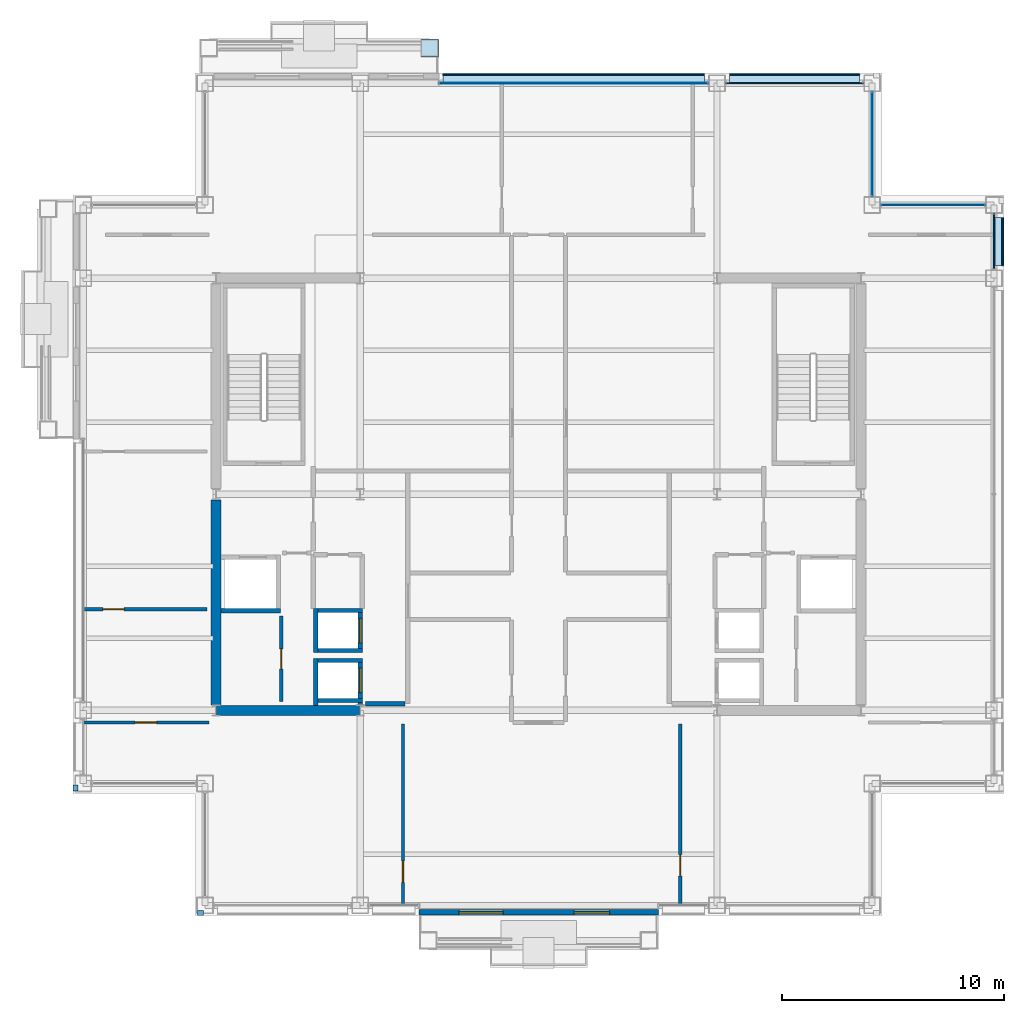
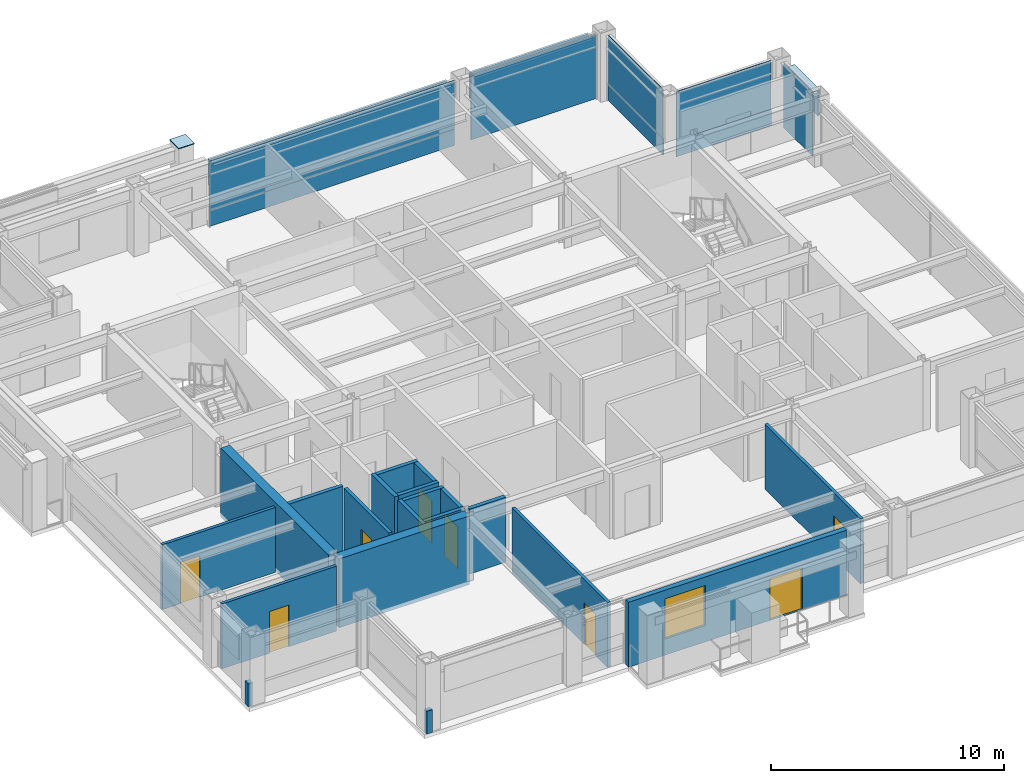
# One storey, part 25 of 31: 20 walls, 15 plates, 8 doors, 1 window, 9 openings, 5 elements without a shape of their own.
"""IFC4 building model written with IfcOpenShell, lengths in metres."""

from ifc_helpers import new_model, si_unit, direction, frame, frame_2d, origin, origin_2d, place, context, subcontext, project, spatial, rectangle, extrude, material, layer, layer_set, type_object, element, fill, aggregate, save


model = new_model("IFC4")

# Units and contexts
model_context = context("Model", 3, precision=1e-05, world=origin(), true_north=direction((0.0, 1.0)))
body_context = subcontext(model_context, "Body", "Model", "MODEL_VIEW")
ifc_project = project(units=[si_unit("LENGTHUNIT", "METRE"), si_unit("AREAUNIT", "SQUARE_METRE"), si_unit("VOLUMEUNIT", "CUBIC_METRE"), si_unit("PLANEANGLEUNIT", "RADIAN"), si_unit("MASSUNIT", "GRAM", prefix="KILO")], contexts=[model_context])

# Site, building, storey
site_placement = place(None, origin())
site = spatial("IfcSite", under=ifc_project, at=site_placement, CompositionType="ELEMENT")
building_placement = place(site_placement, origin())
building = spatial("IfcBuilding", under=site, at=building_placement, Name="Brelmoor Portico Tower", CompositionType="ELEMENT")
storey_placement = place(building_placement, frame((0.0, 0.0, 176.699951171875)))
storey = spatial("IfcBuildingStorey", under=building, at=storey_placement, Name="L46", CompositionType="ELEMENT", Elevation=176.699951171875)

# Plate
ifc_material_1 = material(Name="Steel Q355B", Category="steel")
ifc_layer_1 = layer(ifc_material_1, 0.044921875)
ifc_layer_set_1 = layer_set([ifc_layer_1], Name="Steel Q355B")
plate_type_1 = type_object("IfcPlateType", Name="PT-CAP-650", PredefinedType="SHEET", material=ifc_layer_set_1)
plate_1_placement = place(storey_placement, frame((-4.919921875, 20.1298828125, 3.60009765625), z_axis=(0.0, 0.0, 1.0), x_axis=(1.0, 0.0, 0.0)))
element("IfcPlate", 1, at=plate_1_placement, inside=storey, type_object=plate_type_1, Name="L46 Proud Picture-Frame Pier PFJ-N2 Welded Head Cap Plate", PredefinedType="SHEET", context=body_context, shape_type="SweptSolid", body=[
    extrude(rectangle(XDim=0.7900390625, YDim=0.7900390625, at=origin_2d()), origin(), (0.0, 0.0, 1.0), 0.0400390625),
])

# Curtain wall, plate
ifc_material_2 = material(Name="Anodised Aluminium Alloy 6063-T6", Category="aluminium")
ifc_layer_2 = layer(ifc_material_2, 0.179931640625)
ifc_layer_set_2 = layer_set([ifc_layer_2], Name="Anodised Aluminium Alloy 6063-T6")
curtain_wall_type_1 = type_object("IfcCurtainWallType", Name="CW-TOWER-Z3", PredefinedType="NOTDEFINED", material=ifc_layer_set_2)
curtain_wall_1_placement = place(storey_placement, origin())
curtain_wall_1 = element("IfcCurtainWall", 2, at=curtain_wall_1_placement, inside=storey, type_object=curtain_wall_type_1, Name="L46 Curtain Wall CW-L46-2R-1", PredefinedType="NOTDEFINED")
ifc_material_3 = material(Name="Double-Silver Low-E Insulated Glazing", Category="glass")
ifc_layer_3 = layer(ifc_material_3, 0.035888671875)
ifc_layer_set_3 = layer_set([ifc_layer_3], Name="Double-Silver Low-E Insulated Glazing")
plate_type_2 = type_object("IfcPlateType", Name="PT-CW-GLASS", PredefinedType="CURTAIN_PANEL", material=ifc_layer_set_3)
plate_2_placement = place(storey_placement, frame((1.58251953125, 18.550048828125, 0.85009765625), z_axis=(0.0, 0.0, 1.0), x_axis=(1.0, 0.0, 0.0)))
plate_2 = element("IfcPlate", 3, at=plate_2_placement, type_object=plate_type_2, Name="CW-L46-2R-1 Vision Glass Panel 00", PredefinedType="CURTAIN_PANEL", context=body_context, shape_type="SweptSolid", body=[
    extrude(rectangle(XDim=12.135009765625, YDim=0.035888671875, at=origin_2d()), origin(), (0.0, 0.0, 1.0), 2.550048828125),
])

ifc_layer_4 = layer(ifc_material_2, 0.179931640625)
ifc_layer_set_4 = layer_set([ifc_layer_4], Name="Anodised Aluminium Alloy 6063-T6")
curtain_wall_type_2 = type_object("IfcCurtainWallType", Name="CW-NOTCH-CHAMFER", PredefinedType="NOTDEFINED", material=ifc_layer_set_4)
curtain_wall_2_placement = place(storey_placement, origin())
curtain_wall_2 = element("IfcCurtainWall", 4, at=curtain_wall_2_placement, inside=storey, type_object=curtain_wall_type_2, Name="L46 Curtain Wall CWN-L46-NEH", PredefinedType="NOTDEFINED")
plate_3_placement = place(storey_placement, frame((17.800048828125, 13.050048828125, 0.85009765625), z_axis=(0.0, 0.0, 1.0), x_axis=(1.0, 0.0, 0.0)))
plate_3 = element("IfcPlate", 5, at=plate_3_placement, type_object=plate_type_2, Name="CWN-L46-NEH Vision Glass Panel 00", PredefinedType="CURTAIN_PANEL", context=body_context, shape_type="SweptSolid", body=[
    extrude(rectangle(XDim=4.699951171875, YDim=0.035888671875, at=origin_2d()), origin(), (0.0, 0.0, 1.0), 2.550048828125),
])

curtain_wall_3_placement = place(storey_placement, origin())
curtain_wall_3 = element("IfcCurtainWall", 6, at=curtain_wall_3_placement, inside=storey, type_object=curtain_wall_type_2, Name="L46 Curtain Wall CWN-L46-NEV", PredefinedType="NOTDEFINED")
plate_4_placement = place(storey_placement, frame((15.050048828125, 15.800048828125, 0.85009765625), z_axis=(0.0, 0.0, 1.0), x_axis=(0.0, 1.0, 0.0)))
plate_4 = element("IfcPlate", 7, at=plate_4_placement, type_object=plate_type_2, Name="CWN-L46-NEV Vision Glass Panel 00", PredefinedType="CURTAIN_PANEL", context=body_context, shape_type="SweptSolid", body=[
    extrude(rectangle(XDim=4.699951171875, YDim=0.035888671875, at=origin_2d()), origin(), (0.0, 0.0, 1.0), 2.550048828125),
])

# Plate
ifc_material_4 = material(Name="Pale Champagne Anodised Aluminium Panel", Category="aluminium")
ifc_layer_5 = layer(ifc_material_4, 0.050048828125)
ifc_layer_set_5 = layer_set([ifc_layer_5], Name="Pale Champagne Anodised Aluminium Panel")
plate_type_3 = type_object("IfcPlateType", Name="PT-CW-SPANDREL", PredefinedType="SHEET", material=ifc_layer_set_5)
plate_5_placement = place(storey_placement, frame((1.58251953125, 18.550048828125, 0.0), z_axis=(0.0, 0.0, 1.0), x_axis=(1.0, 0.0, 0.0)))
plate_5 = element("IfcPlate", 8, at=plate_5_placement, type_object=plate_type_3, Name="CW-L46-2R-1 Spandrel Panel 00", PredefinedType="SHEET", context=body_context, shape_type="SweptSolid", body=[
    extrude(rectangle(XDim=12.135009765625, YDim=0.050048828125, at=origin_2d()), origin(), (0.0, 0.0, 1.0), 0.85009765625),
])

aggregate(curtain_wall_1, [plate_5, plate_2])

# Curtain wall, plate
ifc_layer_6 = layer(ifc_material_2, 0.179931640625)
ifc_layer_set_6 = layer_set([ifc_layer_6], Name="Anodised Aluminium Alloy 6063-T6")
curtain_wall_type_3 = type_object("IfcCurtainWallType", Name="CW-TOWER-Z3-XB", PredefinedType="NOTDEFINED", material=ifc_layer_set_6)
curtain_wall_4_placement = place(storey_placement, origin())
curtain_wall_4 = element("IfcCurtainWall", 9, at=curtain_wall_4_placement, inside=storey, type_object=curtain_wall_type_3, Name="L46 Curtain Wall CW-L46-2R-2", PredefinedType="NOTDEFINED")
plate_6_placement = place(storey_placement, frame((11.550048828125, 18.550048828125, 0.0), z_axis=(0.0, 0.0, 1.0), x_axis=(1.0, 0.0, 0.0)))
plate_6 = element("IfcPlate", 10, at=plate_6_placement, type_object=plate_type_3, Name="CW-L46-2R-2 Spandrel Panel 00", PredefinedType="SHEET", context=body_context, shape_type="SweptSolid", body=[
    extrude(rectangle(XDim=6.199951171875, YDim=0.050048828125, at=origin_2d()), origin(), (0.0, 0.0, 1.0), 3.33740234375),
])
aggregate(curtain_wall_4, [plate_6])

curtain_wall_5_placement = place(storey_placement, origin())
curtain_wall_5 = element("IfcCurtainWall", 11, at=curtain_wall_5_placement, inside=storey, type_object=curtain_wall_type_3, Name="L46 Curtain Wall CW-L46-04-3", PredefinedType="NOTDEFINED")
plate_7_placement = place(storey_placement, frame((20.550048828125, 11.39990234375, 0.0), z_axis=(0.0, 0.0, 1.0), x_axis=(0.0, 1.0, 0.0)))
plate_7 = element("IfcPlate", 12, at=plate_7_placement, type_object=plate_type_3, Name="CW-L46-04-3 Spandrel Panel 00", PredefinedType="SHEET", context=body_context, shape_type="SweptSolid", body=[
    extrude(rectangle(XDim=2.5, YDim=0.050048828125, at=origin_2d()), origin(), (0.0, 0.0, 1.0), 3.33740234375),
])
aggregate(curtain_wall_5, [plate_7])

# Plate
plate_8_placement = place(storey_placement, frame((17.800048828125, 13.050048828125, 0.0), z_axis=(0.0, 0.0, 1.0), x_axis=(1.0, 0.0, 0.0)))
plate_8 = element("IfcPlate", 13, at=plate_8_placement, type_object=plate_type_3, Name="CWN-L46-NEH Spandrel Panel 00", PredefinedType="SHEET", context=body_context, shape_type="SweptSolid", body=[
    extrude(rectangle(XDim=4.699951171875, YDim=0.050048828125, at=origin_2d()), origin(), (0.0, 0.0, 1.0), 0.85009765625),
])

aggregate(curtain_wall_2, [plate_8, plate_3])

plate_9_placement = place(storey_placement, frame((15.050048828125, 15.800048828125, 0.0), z_axis=(0.0, 0.0, 1.0), x_axis=(0.0, 1.0, 0.0)))
plate_9 = element("IfcPlate", 14, at=plate_9_placement, type_object=plate_type_3, Name="CWN-L46-NEV Spandrel Panel 00", PredefinedType="SHEET", context=body_context, shape_type="SweptSolid", body=[
    extrude(rectangle(XDim=4.699951171875, YDim=0.050048828125, at=origin_2d()), origin(), (0.0, 0.0, 1.0), 0.85009765625),
])

aggregate(curtain_wall_3, [plate_9, plate_4])

# Plates
ifc_material_5 = material(Name="Powder-Coated Aluminium Shuttered Jalousie Louvre", Category="aluminium")
ifc_layer_7 = layer(ifc_material_5, 0.06005859375)
ifc_layer_set_7 = layer_set([ifc_layer_7], Name="Powder-Coated Aluminium Shuttered Jalousie Louvre")
plate_type_4 = type_object("IfcPlateType", Name="PT-JALOUSIE-SHUTTER", PredefinedType="SHEET", material=ifc_layer_set_7)
plate_10_placement = place(storey_placement, frame((1.58251953125, 18.929931640625, 1.8740234375), z_axis=(0.0, 0.0, 1.0), x_axis=(1.0, 0.0, 0.0)))
element("IfcPlate", 15, at=plate_10_placement, inside=storey, type_object=plate_type_4, Name="CW-L46-2R-1 Perforated Jalousie Solar Screen", PredefinedType="SHEET", context=body_context, shape_type="SweptSolid", body=[
    extrude(rectangle(XDim=11.804931640625, YDim=0.06494140625, at=origin_2d()), origin(), (0.0, 0.0, 1.0), 1.325927734375),
])
plate_11_placement = place(storey_placement, frame((11.550048828125, 18.929931640625, 1.8740234375), z_axis=(0.0, 0.0, 1.0), x_axis=(1.0, 0.0, 0.0)))
element("IfcPlate", 16, at=plate_11_placement, inside=storey, type_object=plate_type_4, Name="CW-L46-2R-2 Perforated Jalousie Solar Screen", PredefinedType="SHEET", context=body_context, shape_type="SweptSolid", body=[
    extrude(rectangle(XDim=5.8701171875, YDim=0.06494140625, at=origin_2d()), origin(), (0.0, 0.0, 1.0), 1.325927734375),
])
plate_12_placement = place(storey_placement, frame((20.929931640625, 11.39990234375, 1.8740234375), z_axis=(0.0, 0.0, 1.0), x_axis=(0.0, 1.0, 0.0)))
element("IfcPlate", 17, at=plate_12_placement, inside=storey, type_object=plate_type_4, Name="CW-L46-04-3 Perforated Jalousie Solar Screen", PredefinedType="SHEET", context=body_context, shape_type="SweptSolid", body=[
    extrude(rectangle(XDim=2.169921875, YDim=0.06494140625, at=origin_2d()), origin(), (0.0, 0.0, 1.0), 1.325927734375),
])
ifc_material_6 = material(Name="Pale Champagne Perforated Aluminium Solar Screen", Category="aluminium")
ifc_layer_8 = layer(ifc_material_6, 0.054931640625)
ifc_layer_set_8 = layer_set([ifc_layer_8], Name="Pale Champagne Perforated Aluminium Solar Screen")
plate_type_5 = type_object("IfcPlateType", Name="PT-SOLAR-LOUVRE", PredefinedType="SHEET", material=ifc_layer_set_8)
plate_13_placement = place(storey_placement, frame((1.58251953125, 18.760009765625, 3.09033203125), z_axis=(0.0, 0.0, 1.0), x_axis=(1.0, 0.0, 0.0)))
element("IfcPlate", 18, at=plate_13_placement, inside=storey, type_object=plate_type_5, Name="CW-L46-2R-1 Caribbean Brise-Soleil Solar Screen", PredefinedType="SHEET", context=body_context, shape_type="SweptSolid", body=[
    extrude(rectangle(XDim=11.804931640625, YDim=0.4599609375, at=origin_2d()), origin(), (0.0, 0.0, 1.0), 0.139892578125),
])
plate_14_placement = place(storey_placement, frame((11.550048828125, 18.760009765625, 3.09033203125), z_axis=(0.0, 0.0, 1.0), x_axis=(1.0, 0.0, 0.0)))
element("IfcPlate", 19, at=plate_14_placement, inside=storey, type_object=plate_type_5, Name="CW-L46-2R-2 Caribbean Brise-Soleil Solar Screen", PredefinedType="SHEET", context=body_context, shape_type="SweptSolid", body=[
    extrude(rectangle(XDim=5.8701171875, YDim=0.4599609375, at=origin_2d()), origin(), (0.0, 0.0, 1.0), 0.139892578125),
])
plate_15_placement = place(storey_placement, frame((20.760009765625, 11.39990234375, 3.09033203125), z_axis=(0.0, 0.0, 1.0), x_axis=(0.0, 1.0, 0.0)))
element("IfcPlate", 20, at=plate_15_placement, inside=storey, type_object=plate_type_5, Name="CW-L46-04-3 Caribbean Brise-Soleil Solar Screen", PredefinedType="SHEET", context=body_context, shape_type="SweptSolid", body=[
    extrude(rectangle(XDim=2.169921875, YDim=0.4599609375, at=origin_2d()), origin(), (0.0, 0.0, 1.0), 0.139892578125),
])

# Walls
ifc_material_7 = material(Name="Concrete C50", Category="concrete")
ifc_layer_9 = layer(ifc_material_7, 0.449951171875)
ifc_layer_set_9 = layer_set([ifc_layer_9], Name="Concrete C50")
wall_type_1 = type_object("IfcWallType", Name="WL-CORE-450", PredefinedType="SHEAR", material=ifc_layer_set_9)
wall_1_placement = place(storey_placement, frame((-14.530029296875, -9.75, -0.199951171875), z_axis=(0.0, 0.0, 1.0), x_axis=(1.0, 0.0, 0.0)))
element("IfcWall", 21, at=wall_1_placement, inside=storey, type_object=wall_type_1, Name="L46 WC South Shear Wall", PredefinedType="SHEAR", context=body_context, shape_type="SweptSolid", body=[
    extrude(rectangle(XDim=6.4599609375, YDim=0.449951171875, at=frame_2d((3.22998046875, 0.0))), origin(), (0.0, 0.0, 1.0), 3.60009765625),
])
wall_2_placement = place(storey_placement, frame((-14.550048828125, -9.5, -0.199951171875), z_axis=(0.0, 0.0, 1.0), x_axis=(0.0, 1.0, 0.0)))
element("IfcWall", 22, at=wall_2_placement, inside=storey, type_object=wall_type_1, Name="L46 WC Outer South Shear Wall", PredefinedType="SHEAR", context=body_context, shape_type="SweptSolid", body=[
    extrude(rectangle(XDim=9.25, YDim=0.449951171875, at=frame_2d((4.625, 0.0))), origin(), (0.0, 0.0, 1.0), 3.60009765625),
])

# Wall, openings, door, window
ifc_material_8 = material(Name="Precast Concrete C40 Insulated Facade Wall", Category="concrete")
ifc_layer_10 = layer(ifc_material_8, 0.25)
ifc_layer_set_10 = layer_set([ifc_layer_10], Name="Precast Concrete C40 Insulated Facade Wall")
wall_type_2 = type_object("IfcWallType", Name="WL-EXT-250", PredefinedType="STANDARD", material=ifc_layer_set_10)
wall_3_placement = place(storey_placement, frame((-5.39990234375, -18.860107421875, 0.0), z_axis=(0.0, 0.0, 1.0), x_axis=(1.0, 0.0, 0.0)))
wall_3 = element("IfcWall", 23, at=wall_3_placement, inside=storey, type_object=wall_type_2, Name="L46 Loggia Threshold Wall S-1", PredefinedType="STANDARD", context=body_context, shape_type="SweptSolid", body=[
    extrude(rectangle(XDim=10.7998046875, YDim=0.25, at=frame_2d((5.39990234375, 0.0))), origin(), (0.0, 0.0, 1.0), 3.400146484375),
])
opening_1_placement = place(wall_3_placement, frame((7.0, 0.0, 0.0)))
opening_1 = element("IfcOpeningElement", 24, at=opening_1_placement, cuts=wall_3, Name="Opening D-TB1", PredefinedType="OPENING", context=body_context, shape_type="SweptSolid", body=[
    extrude(rectangle(XDim=1.60009765625, YDim=2.199951171875, at=frame_2d((0.800048828125, 1.10009765625))), frame((0.0, 0.135009765625, 0.0), z_axis=(0.0, -1.0, 0.0), x_axis=(1.0, 0.0, 0.0)), (0.0, 0.0, 1.0), 0.27001953125),
])
opening_2_placement = place(wall_3_placement, frame((1.800048828125, 0.0, 0.85009765625)))
opening_2 = element("IfcOpeningElement", 25, at=opening_2_placement, cuts=wall_3, Name="Opening W-03", PredefinedType="OPENING", context=body_context, shape_type="SweptSolid", body=[
    extrude(rectangle(XDim=2.0, YDim=2.10009765625, at=frame_2d((1.0, 1.050048828125))), frame((0.0, 0.135009765625, 0.0), z_axis=(0.0, -1.0, 0.0), x_axis=(1.0, 0.0, 0.0)), (0.0, 0.0, 1.0), 0.27001953125),
])
ifc_material_9 = material(Name="Double-Leaf Thermally Broken Terrace Door", Category="aluminium")
door_type_1 = type_object("IfcDoorType", Name="DR-BALCONY-1600", OperationType="NOTDEFINED", PredefinedType="DOOR", material=ifc_material_9)
door_1_placement = place(opening_1_placement, origin())
door_1 = element("IfcDoor", 26, at=door_1_placement, inside=storey, type_object=door_type_1, Name="D-1975 L46 Tree Balcony Double Door S", OperationType="DOUBLE_DOOR_SINGLE_SWING", OverallHeight=2.199951171875, OverallWidth=1.60009765625, PredefinedType="DOOR", context=body_context, shape_type="SweptSolid", body=[
    extrude(rectangle(XDim=1.60009765625, YDim=2.199951171875, at=frame_2d((0.800048828125, 1.10009765625))), frame((0.0, 0.02490234375, 0.0), z_axis=(0.0, -1.0, 0.0), x_axis=(1.0, 0.0, 0.0)), (0.0, 0.0, 1.0), 0.050048828125),
])
fill(opening_1, door_1)
ifc_material_10 = material(Name="Thermally Broken Aluminium Low-E Window", Category="aluminium")
window_type = type_object("IfcWindowType", Name="WN-LOGGIA-2000x2100", PartitioningType="SINGLE_PANEL", PredefinedType="WINDOW", material=ifc_material_10)
window_placement = place(opening_2_placement, origin())
window = element("IfcWindow", 27, at=window_placement, inside=storey, type_object=window_type, Name="L46 Loggia Window S", OverallHeight=2.10009765625, OverallWidth=2.0, PartitioningType="SINGLE_PANEL", PredefinedType="WINDOW", context=body_context, shape_type="SweptSolid", body=[
    extrude(rectangle(XDim=2.0, YDim=2.10009765625, at=frame_2d((1.0, 1.050048828125))), frame((0.0, 0.030029296875, 0.0), z_axis=(0.0, -1.0, 0.0), x_axis=(1.0, 0.0, 0.0)), (0.0, 0.0, 1.0), 0.06005859375),
])
fill(opening_2, window)

# Walls
ifc_material_11 = material(Name="Concrete C40 Parapet Upstand", Category="concrete")
ifc_layer_11 = layer(ifc_material_11, 0.219970703125)
ifc_layer_set_11 = layer_set([ifc_layer_11], Name="Concrete C40 Parapet Upstand")
wall_type_3 = type_object("IfcWallType", Name="WL-PARAPET-220", PredefinedType="PARAPET", material=ifc_layer_set_11)
for number, where, z_axis, x_axis, name in (
    (28, (-15.389892578125, -18.889892578125, 0.0), (0.0, 0.0, 1.0), (1.0, 0.0, 0.0), "L46 Chamfer Vertex Parapet Pier SW1"),
    (29, (-20.889892578125, -13.389892578125, 0.0), (0.0, 0.0, 1.0), (0.0, 1.0, 0.0), "L46 Chamfer Vertex Parapet Pier SW2"),
):
    element("IfcWall", number, at=place(storey_placement, frame(where, z_axis=z_axis, x_axis=x_axis)), inside=storey, type_object=wall_type_3, Name=name, PredefinedType="PARAPET", context=body_context, shape_type="SweptSolid", body=[
        extrude(rectangle(XDim=0.269775390625, YDim=0.219970703125, at=frame_2d((0.134765625, 0.0))), origin(), (0.0, 0.0, 1.0), 1.199951171875),
    ])

# Wall, opening, door
ifc_material_12 = material(Name="Wet-Area Moisture-Resistant Partition", Category="gypsum")
ifc_layer_12 = layer(ifc_material_12, 0.14990234375)
ifc_layer_set_12 = layer_set([ifc_layer_12], Name="Wet-Area Moisture-Resistant Partition")
wall_type_4 = type_object("IfcWallType", Name="WL-PART-150", PredefinedType="PARTITIONING", material=ifc_layer_set_12)
wall_4_placement = place(storey_placement, frame((-6.120361328125, -18.56005859375, 0.0), z_axis=(0.0, 0.0, 1.0), x_axis=(0.0, 1.0, 0.0)))
wall_4 = element("IfcWall", 30, at=wall_4_placement, inside=storey, type_object=wall_type_4, Name="L46 South Suite Partition 1", PredefinedType="PARTITIONING", context=body_context, shape_type="SweptSolid", body=[
    extrude(rectangle(XDim=8.199951171875, YDim=0.14990234375, at=frame_2d((4.10009765625, 0.0))), origin(), (0.0, 0.0, 1.0), 3.400146484375),
])
opening_3_placement = place(wall_4_placement, frame((1.050048828125, 0.0, 0.0)))
opening_3 = element("IfcOpeningElement", 31, at=opening_3_placement, cuts=wall_4, Name="Opening D-IN2", PredefinedType="OPENING", context=body_context, shape_type="SweptSolid", body=[
    extrude(rectangle(XDim=0.9599609375, YDim=2.179931640625, at=frame_2d((0.47998046875, 1.08984375))), frame((0.0, 0.0849609375, 0.0), z_axis=(0.0, -1.0, 0.0), x_axis=(1.0, 0.0, 0.0)), (0.0, 0.0, 1.0), 0.169921875),
])
ifc_material_13 = material(Name="Lacquered Timber Suite Door", Category="wood")
door_type_2 = type_object("IfcDoorType", Name="DR-INT-950", OperationType="NOTDEFINED", PredefinedType="DOOR", material=ifc_material_13)
door_2_placement = place(opening_3_placement, origin())
door_2 = element("IfcDoor", 32, at=door_2_placement, inside=storey, type_object=door_type_2, Name="D-1968 L46 South Suite Connecting Door 1", OperationType="SINGLE_SWING_LEFT", OverallHeight=2.179931640625, OverallWidth=0.9599609375, PredefinedType="DOOR", context=body_context, shape_type="SweptSolid", body=[
    extrude(rectangle(XDim=0.9599609375, YDim=2.179931640625, at=frame_2d((0.47998046875, 1.08984375))), frame((0.0, 0.02490234375, 0.0), z_axis=(0.0, -1.0, 0.0), x_axis=(1.0, 0.0, 0.0)), (0.0, 0.0, 1.0), 0.050048828125),
])
fill(opening_3, door_2)

wall_5_placement = place(storey_placement, frame((6.398681640625, -18.56005859375, 0.0), z_axis=(0.0, 0.0, 1.0), x_axis=(0.0, 1.0, 0.0)))
wall_5 = element("IfcWall", 33, at=wall_5_placement, inside=storey, type_object=wall_type_4, Name="L46 South Suite Partition 2", PredefinedType="PARTITIONING", context=body_context, shape_type="SweptSolid", body=[
    extrude(rectangle(XDim=8.199951171875, YDim=0.14990234375, at=frame_2d((4.10009765625, 0.0))), origin(), (0.0, 0.0, 1.0), 3.400146484375),
])
opening_4_placement = place(wall_5_placement, frame((1.340087890625, 0.0, 0.0)))
opening_4 = element("IfcOpeningElement", 34, at=opening_4_placement, cuts=wall_5, Name="Opening D-IN2", PredefinedType="OPENING", context=body_context, shape_type="SweptSolid", body=[
    extrude(rectangle(XDim=0.9599609375, YDim=2.179931640625, at=frame_2d((0.47998046875, 1.08984375))), frame((0.0, 0.0849609375, 0.0), z_axis=(0.0, -1.0, 0.0), x_axis=(1.0, 0.0, 0.0)), (0.0, 0.0, 1.0), 0.169921875),
])
door_3_placement = place(opening_4_placement, origin())
door_3 = element("IfcDoor", 35, at=door_3_placement, inside=storey, type_object=door_type_2, Name="D-1969 L46 South Suite Connecting Door 2", OperationType="SINGLE_SWING_RIGHT", OverallHeight=2.179931640625, OverallWidth=0.9599609375, PredefinedType="DOOR", context=body_context, shape_type="SweptSolid", body=[
    extrude(rectangle(XDim=0.9599609375, YDim=2.179931640625, at=frame_2d((0.47998046875, 1.08984375))), frame((0.0, 0.02490234375, 0.0), z_axis=(0.0, -1.0, 0.0), x_axis=(1.0, 0.0, 0.0)), (0.0, 0.0, 1.0), 0.050048828125),
])
fill(opening_4, door_3)

wall_6_placement = place(storey_placement, frame((-20.56005859375, -10.300048828125, 0.0), z_axis=(0.0, 0.0, 1.0), x_axis=(1.0, 0.0, 0.0)))
wall_6 = element("IfcWall", 36, at=wall_6_placement, inside=storey, type_object=wall_type_4, Name="L46 South Wing Closure WL", PredefinedType="PARTITIONING", context=body_context, shape_type="SweptSolid", body=[
    extrude(rectangle(XDim=5.68017578125, YDim=0.14990234375, at=frame_2d((2.840087890625, 0.0))), origin(), (0.0, 0.0, 1.0), 3.400146484375),
])
opening_5_placement = place(wall_6_placement, frame((2.360107421875, 0.0, 0.0)))
opening_5 = element("IfcOpeningElement", 37, at=opening_5_placement, cuts=wall_6, Name="Opening D-IN2", PredefinedType="OPENING", context=body_context, shape_type="SweptSolid", body=[
    extrude(rectangle(XDim=0.9599609375, YDim=2.179931640625, at=frame_2d((0.47998046875, 1.08984375))), frame((0.0, 0.0849609375, 0.0), z_axis=(0.0, -1.0, 0.0), x_axis=(1.0, 0.0, 0.0)), (0.0, 0.0, 1.0), 0.169921875),
])
door_4_placement = place(opening_5_placement, origin())
door_4 = element("IfcDoor", 38, at=door_4_placement, inside=storey, type_object=door_type_2, Name="D-1973 L46 WL Wing South Suite Door", OperationType="SINGLE_SWING_RIGHT", OverallHeight=2.179931640625, OverallWidth=0.9599609375, PredefinedType="DOOR", context=body_context, shape_type="SweptSolid", body=[
    extrude(rectangle(XDim=0.9599609375, YDim=2.179931640625, at=frame_2d((0.47998046875, 1.08984375))), frame((0.0, 0.02490234375, 0.0), z_axis=(0.0, -1.0, 0.0), x_axis=(1.0, 0.0, 0.0)), (0.0, 0.0, 1.0), 0.050048828125),
])
fill(opening_5, door_4)

wall_7_placement = place(storey_placement, frame((-20.56005859375, -5.194580078125, 0.0), z_axis=(0.0, 0.0, 1.0), x_axis=(1.0, 0.0, 0.0)))
wall_7 = element("IfcWall", 39, at=wall_7_placement, inside=storey, type_object=wall_type_4, Name="L46 W Wing Partition 1", PredefinedType="PARTITIONING", context=body_context, shape_type="SweptSolid", body=[
    extrude(rectangle(XDim=5.60009765625, YDim=0.14990234375, at=frame_2d((2.800048828125, 0.0))), origin(), (0.0, 0.0, 1.0), 3.400146484375),
])
opening_6_placement = place(wall_7_placement, frame((0.89990234375, 0.0, 0.0)))
opening_6 = element("IfcOpeningElement", 40, at=opening_6_placement, cuts=wall_7, Name="Opening D-IN2", PredefinedType="OPENING", context=body_context, shape_type="SweptSolid", body=[
    extrude(rectangle(XDim=0.9599609375, YDim=2.179931640625, at=frame_2d((0.47998046875, 1.08984375))), frame((0.0, 0.0849609375, 0.0), z_axis=(0.0, -1.0, 0.0), x_axis=(1.0, 0.0, 0.0)), (0.0, 0.0, 1.0), 0.169921875),
])
door_5_placement = place(opening_6_placement, origin())
door_5 = element("IfcDoor", 41, at=door_5_placement, inside=storey, type_object=door_type_2, Name="D-1977 L46 W Wing Suite Connecting Door 1", OperationType="SINGLE_SWING_RIGHT", OverallHeight=2.179931640625, OverallWidth=0.9599609375, PredefinedType="DOOR", context=body_context, shape_type="SweptSolid", body=[
    extrude(rectangle(XDim=0.9599609375, YDim=2.179931640625, at=frame_2d((0.47998046875, 1.08984375))), frame((0.0, 0.02490234375, 0.0), z_axis=(0.0, -1.0, 0.0), x_axis=(1.0, 0.0, 0.0)), (0.0, 0.0, 1.0), 0.050048828125),
])
fill(opening_6, door_5)

ifc_material_14 = material(Name="Twin-Frame Acoustic Partition", Category="gypsum")
ifc_layer_13 = layer(ifc_material_14, 0.159912109375)
ifc_layer_set_13 = layer_set([ifc_layer_13], Name="Twin-Frame Acoustic Partition")
wall_type_5 = type_object("IfcWallType", Name="WL-PART-160", PredefinedType="PARTITIONING", material=ifc_layer_set_13)
wall_8_placement = place(storey_placement, frame((-11.6201171875, -9.35009765625, 0.0), z_axis=(0.0, 0.0, 1.0), x_axis=(0.0, 1.0, 0.0)))
wall_8 = element("IfcWall", 42, at=wall_8_placement, inside=storey, type_object=wall_type_5, Name="L46 W Core Service Front Wall", PredefinedType="PARTITIONING", context=body_context, shape_type="SweptSolid", body=[
    extrude(rectangle(XDim=3.85009765625, YDim=0.159912109375, at=frame_2d((1.925048828125, 0.0))), origin(), (0.0, 0.0, 1.0), 3.400146484375),
])
opening_7_placement = place(wall_8_placement, frame((1.47509765625, 0.0, 0.0)))
opening_7 = element("IfcOpeningElement", 43, at=opening_7_placement, cuts=wall_8, Name="Opening D-IN1", PredefinedType="OPENING", context=body_context, shape_type="SweptSolid", body=[
    extrude(rectangle(XDim=0.89990234375, YDim=2.14990234375, at=frame_2d((0.449951171875, 1.074951171875))), frame((0.0, 0.08984375, 0.0), z_axis=(0.0, -1.0, 0.0), x_axis=(1.0, 0.0, 0.0)), (0.0, 0.0, 1.0), 0.179931640625),
])
door_type_3 = type_object("IfcDoorType", Name="DR-INT-900", OperationType="NOTDEFINED", PredefinedType="DOOR", material=ifc_material_13)
door_6_placement = place(opening_7_placement, origin())
door_6 = element("IfcDoor", 44, at=door_6_placement, inside=storey, type_object=door_type_3, Name="D-1955 L46 W Accessible WC Door", OperationType="SINGLE_SWING_LEFT", OverallHeight=2.14990234375, OverallWidth=0.89990234375, PredefinedType="DOOR", context=body_context, shape_type="SweptSolid", body=[
    extrude(rectangle(XDim=0.89990234375, YDim=2.14990234375, at=frame_2d((0.449951171875, 1.074951171875))), frame((0.0, 0.02490234375, 0.0), z_axis=(0.0, -1.0, 0.0), x_axis=(1.0, 0.0, 0.0)), (0.0, 0.0, 1.0), 0.050048828125),
])
fill(opening_7, door_6)

# Wall
ifc_material_15 = material(Name="Double-Stud Gypsum Fire Partition", Category="gypsum")
ifc_layer_14 = layer(ifc_material_15, 0.199951171875)
ifc_layer_set_14 = layer_set([ifc_layer_14], Name="Double-Stud Gypsum Fire Partition")
wall_type_6 = type_object("IfcWallType", Name="WL-PART-200", PredefinedType="PARTITIONING", material=ifc_layer_set_14)
wall_9_placement = place(storey_placement, frame((-6.02001953125, -9.449951171875, 0.0), z_axis=(0.0, 0.0, 1.0), x_axis=(-1.0, 0.0, 0.0)))
element("IfcWall", 45, at=wall_9_placement, inside=storey, type_object=wall_type_6, Name="L46 W Lift Lobby South End Wall", PredefinedType="PARTITIONING", context=body_context, shape_type="SweptSolid", body=[
    extrude(rectangle(XDim=1.800048828125, YDim=0.199951171875, at=frame_2d((0.89990234375, 0.0))), origin(), (0.0, 0.0, 1.0), 3.400146484375),
])

# Wall, opening, door
ifc_material_16 = material(Name="Precast Concrete C40", Category="concrete")
ifc_layer_15 = layer(ifc_material_16, 0.18994140625)
ifc_layer_set_15 = layer_set([ifc_layer_15], Name="Precast Concrete C40")
wall_type_7 = type_object("IfcWallType", Name="WL-SHAFT-180", PredefinedType="SOLIDWALL", material=ifc_layer_set_15)
wall_10_placement = place(storey_placement, frame((-8.044921875, -9.52001953125, -0.199951171875), z_axis=(0.0, 0.0, 1.0), x_axis=(0.0, 1.0, 0.0)))
wall_10 = element("IfcWall", 46, at=wall_10_placement, inside=storey, type_object=wall_type_7, Name="L46 Lift PH1 Hoistway Front Wall", PredefinedType="SOLIDWALL", context=body_context, shape_type="SweptSolid", body=[
    extrude(rectangle(XDim=2.1201171875, YDim=0.18994140625, at=frame_2d((1.06005859375, 0.0))), origin(), (0.0, 0.0, 1.0), 3.60009765625),
])
opening_8_placement = place(wall_10_placement, frame((0.570068359375, 0.0, 0.199951171875)))
opening_8 = element("IfcOpeningElement", 47, at=opening_8_placement, cuts=wall_10, Name="Opening LD-01", PredefinedType="OPENING", context=body_context, shape_type="SweptSolid", body=[
    extrude(rectangle(XDim=1.10009765625, YDim=2.199951171875, at=frame_2d((0.550048828125, 1.10009765625))), frame((0.0, 0.10498046875, 0.0), z_axis=(0.0, -1.0, 0.0), x_axis=(1.0, 0.0, 0.0)), (0.0, 0.0, 1.0), 0.2099609375),
])
ifc_material_17 = material(Name="Brushed Stainless Steel Sliding Lift Door", Category="steel")
door_type_4 = type_object("IfcDoorType", Name="DR-LIFT-1100", OperationType="NOTDEFINED", PredefinedType="DOOR", material=ifc_material_17)
door_7_placement = place(opening_8_placement, origin())
door_7 = element("IfcDoor", 48, at=door_7_placement, inside=storey, type_object=door_type_4, Name="D-1981 L46 Lift PH1 Sliding Landing Door", OperationType="SLIDING_TO_LEFT", OverallHeight=2.199951171875, OverallWidth=1.10009765625, PredefinedType="DOOR", context=body_context, shape_type="SweptSolid", body=[
    extrude(rectangle(XDim=1.10009765625, YDim=2.199951171875, at=frame_2d((0.550048828125, 1.10009765625))), frame((0.0, 0.02490234375, 0.0), z_axis=(0.0, -1.0, 0.0), x_axis=(1.0, 0.0, 0.0)), (0.0, 0.0, 1.0), 0.050048828125),
])
fill(opening_8, door_7)

# Walls
wall_11_placement = place(storey_placement, frame((-10.054931640625, -9.52001953125, -0.199951171875), z_axis=(0.0, 0.0, 1.0), x_axis=(0.0, 1.0, 0.0)))
element("IfcWall", 49, at=wall_11_placement, inside=storey, type_object=wall_type_7, Name="L46 Lift PH1 Hoistway Back Wall", PredefinedType="SOLIDWALL", context=body_context, shape_type="SweptSolid", body=[
    extrude(rectangle(XDim=2.1201171875, YDim=0.18994140625, at=frame_2d((1.06005859375, 0.0))), origin(), (0.0, 0.0, 1.0), 3.60009765625),
])
for number, where, z_axis, x_axis, name in (
    (50, (-10.14990234375, -7.4951171875, -0.199951171875), (0.0, 0.0, 1.0), (1.0, 0.0, 0.0), "L46 Lift PH1 Hoistway North Wall"),
    (51, (-10.14990234375, -9.304931640625, -0.199951171875), (0.0, 0.0, 1.0), (1.0, 0.0, 0.0), "L46 Lift PH1 Hoistway South Wall"),
):
    element("IfcWall", number, at=place(storey_placement, frame(where, z_axis=z_axis, x_axis=x_axis)), inside=storey, type_object=wall_type_7, Name=name, PredefinedType="SOLIDWALL", context=body_context, shape_type="SweptSolid", body=[
        extrude(rectangle(XDim=2.199951171875, YDim=0.18994140625, at=frame_2d((1.10009765625, 0.0))), origin(), (0.0, 0.0, 1.0), 3.60009765625),
    ])

# Wall, opening, door
wall_12_placement = place(storey_placement, frame((-8.044921875, -7.14990234375, -0.199951171875), z_axis=(0.0, 0.0, 1.0), x_axis=(0.0, 1.0, 0.0)))
wall_12 = element("IfcWall", 52, at=wall_12_placement, inside=storey, type_object=wall_type_7, Name="L46 Lift PH2 Hoistway Front Wall", PredefinedType="SOLIDWALL", context=body_context, shape_type="SweptSolid", body=[
    extrude(rectangle(XDim=2.0, YDim=0.18994140625, at=frame_2d((1.0, 0.0))), origin(), (0.0, 0.0, 1.0), 3.60009765625),
])
opening_9_placement = place(wall_12_placement, frame((0.449951171875, 0.0, 0.199951171875)))
opening_9 = element("IfcOpeningElement", 53, at=opening_9_placement, cuts=wall_12, Name="Opening LD-01", PredefinedType="OPENING", context=body_context, shape_type="SweptSolid", body=[
    extrude(rectangle(XDim=1.10009765625, YDim=2.199951171875, at=frame_2d((0.550048828125, 1.10009765625))), frame((0.0, 0.10498046875, 0.0), z_axis=(0.0, -1.0, 0.0), x_axis=(1.0, 0.0, 0.0)), (0.0, 0.0, 1.0), 0.2099609375),
])
door_8_placement = place(opening_9_placement, origin())
door_8 = element("IfcDoor", 54, at=door_8_placement, inside=storey, type_object=door_type_4, Name="D-1982 L46 Lift PH2 Sliding Landing Door", OperationType="SLIDING_TO_LEFT", OverallHeight=2.199951171875, OverallWidth=1.10009765625, PredefinedType="DOOR", context=body_context, shape_type="SweptSolid", body=[
    extrude(rectangle(XDim=1.10009765625, YDim=2.199951171875, at=frame_2d((0.550048828125, 1.10009765625))), frame((0.0, 0.02490234375, 0.0), z_axis=(0.0, -1.0, 0.0), x_axis=(1.0, 0.0, 0.0)), (0.0, 0.0, 1.0), 0.050048828125),
])
fill(opening_9, door_8)

# Walls
wall_13_placement = place(storey_placement, frame((-10.054931640625, -7.14990234375, -0.199951171875), z_axis=(0.0, 0.0, 1.0), x_axis=(0.0, 1.0, 0.0)))
element("IfcWall", 55, at=wall_13_placement, inside=storey, type_object=wall_type_7, Name="L46 Lift PH2 Hoistway Back Wall", PredefinedType="SOLIDWALL", context=body_context, shape_type="SweptSolid", body=[
    extrude(rectangle(XDim=2.0, YDim=0.18994140625, at=frame_2d((1.0, 0.0))), origin(), (0.0, 0.0, 1.0), 3.60009765625),
])
for number, where, z_axis, x_axis, name in (
    (56, (-10.14990234375, -5.2451171875, -0.199951171875), (0.0, 0.0, 1.0), (1.0, 0.0, 0.0), "L46 Lift PH2 Hoistway North Wall"),
    (57, (-10.14990234375, -7.054931640625, -0.199951171875), (0.0, 0.0, 1.0), (1.0, 0.0, 0.0), "L46 Lift PH2 Hoistway South Wall"),
):
    element("IfcWall", number, at=place(storey_placement, frame(where, z_axis=z_axis, x_axis=x_axis)), inside=storey, type_object=wall_type_7, Name=name, PredefinedType="SOLIDWALL", context=body_context, shape_type="SweptSolid", body=[
        extrude(rectangle(XDim=2.199951171875, YDim=0.18994140625, at=frame_2d((1.10009765625, 0.0))), origin(), (0.0, 0.0, 1.0), 3.60009765625),
    ])
wall_14_placement = place(storey_placement, frame((-14.330078125, -5.2548828125, -0.199951171875), z_axis=(0.0, 0.0, 1.0), x_axis=(1.0, 0.0, 0.0)))
element("IfcWall", 58, at=wall_14_placement, inside=storey, type_object=wall_type_7, Name="L46 Firefighting Lift FF1 South Wall", PredefinedType="SOLIDWALL", context=body_context, shape_type="SweptSolid", body=[
    extrude(rectangle(XDim=2.68017578125, YDim=0.18994140625, at=frame_2d((1.340087890625, 0.0))), origin(), (0.0, 0.0, 1.0), 3.60009765625),
])

save(model, "model.ifc")
